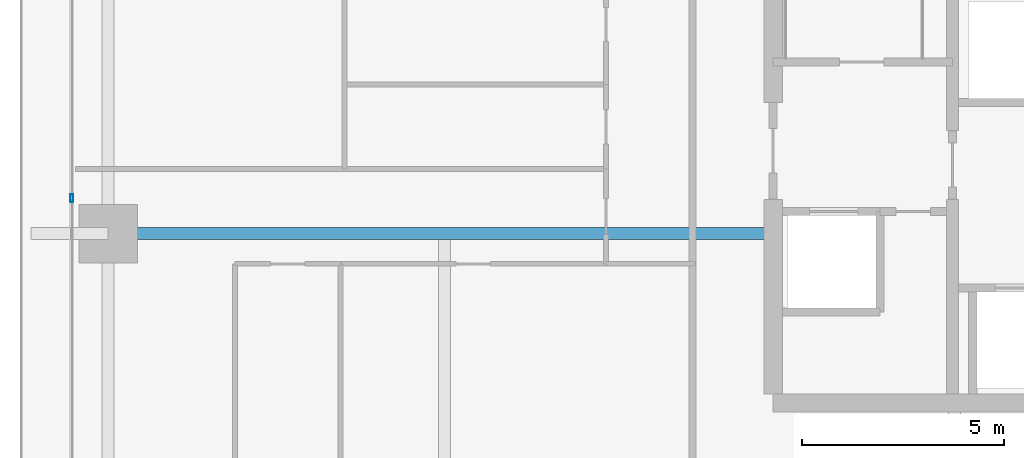
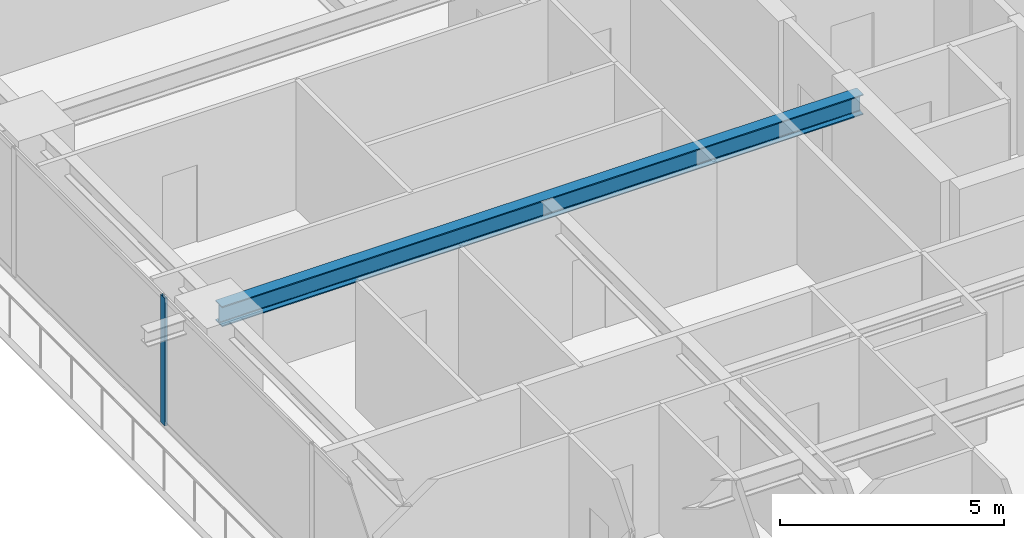
# One storey, part 7 of 37: 1 beam, 1 member, 1 element without a shape of its own.
"""IFC4 building model written with IfcOpenShell, lengths in metres."""

from ifc_helpers import new_model, si_unit, direction, frame, origin, origin_2d, place, context, subcontext, project, spatial, hollow_rectangle, i_section, extrude, source, transform, mapped, material, layer, layer_set, material_profile, profile_set, type_object, element, aggregate, save


model = new_model("IFC4")

# Units and contexts
model_context = context("Model", 3, precision=1e-05, world=origin(), true_north=direction((0.0, 1.0)))
body_context = subcontext(model_context, "Body", "Model", "MODEL_VIEW")
ifc_project = project(units=[si_unit("LENGTHUNIT", "METRE"), si_unit("AREAUNIT", "SQUARE_METRE"), si_unit("VOLUMEUNIT", "CUBIC_METRE"), si_unit("PLANEANGLEUNIT", "RADIAN"), si_unit("MASSUNIT", "GRAM", prefix="KILO")], contexts=[model_context])

# Site, building, storey
site_placement = place(None, origin())
site = spatial("IfcSite", under=ifc_project, at=site_placement, CompositionType="ELEMENT")
building_placement = place(site_placement, origin())
building = spatial("IfcBuilding", under=site, at=building_placement, Name="Serunith Strait Residences", CompositionType="ELEMENT")
storey_placement = place(building_placement, frame((0.0, 0.0, 26.699951171875)))
storey = spatial("IfcBuildingStorey", under=building, at=storey_placement, Name="L05", CompositionType="ELEMENT", Elevation=26.699951171875)

# Beam
ifc_material_1 = material(Name="Steel S355J2", Category="steel")
ifc_material_profile_1 = material_profile(ifc_material_1, i_section(OverallWidth=0.300048828125, OverallDepth=0.550048828125, WebThickness=0.014892578125, FlangeThickness=0.029052734375, FilletRadius=0.027099609375, at=origin_2d()), Name="HEB 550")
ifc_profile_set_1 = profile_set([ifc_material_profile_1], Name="Steel S355J2")
beam_type = type_object("IfcBeamType", Name="BM-HEB550", PredefinedType="BEAM", material=ifc_profile_set_1)
shared_shape_1 = source(origin(), body_context, "Body", "SweptSolid", [
    extrude(i_section(OverallWidth=0.300048828125, OverallDepth=0.550048828125, WebThickness=0.014892578125, FlangeThickness=0.029052734375, FilletRadius=0.027099609375, at=origin_2d()), origin(), (0.0, 0.0, 1.0), 16.5),
])
beam_placement = place(storey_placement, frame((23.39990234375, 21.0, 3.212158203125), z_axis=(-1.0, 0.0, 0.0), x_axis=(0.0, -1.0, 0.0)))
element("IfcBeam", 1, at=beam_placement, inside=storey, type_object=beam_type, Name="L05 Primary Floor Girder TC-W2", PredefinedType="BEAM", context=body_context, shape_type="MappedRepresentation", body=[
    mapped(shared_shape_1, transform((0.0, 0.0, 0.0), scale=1.0)),
])

# Curtain wall, member
ifc_material_2 = material(Name="Pale-Champagne Anodised Aluminium", Category="aluminium")
ifc_layer = layer(ifc_material_2, 0.199951171875, Name="Pale-Champagne Anodised Aluminium")
ifc_layer_set = layer_set([ifc_layer], Name="Pale-Champagne Anodised Aluminium")
curtain_wall_type = type_object("IfcCurtainWallType", Name="CW-SYS1", PredefinedType="NOTDEFINED", material=ifc_layer_set)
curtain_wall_placement = place(storey_placement, origin())
curtain_wall = element("IfcCurtainWall", 2, at=curtain_wall_placement, inside=storey, type_object=curtain_wall_type, Name="L05 W Unitised Fritted Curtain Wall", PredefinedType="NOTDEFINED")
ifc_material_profile_2 = material_profile(ifc_material_2, hollow_rectangle(XDim=0.070068359375, YDim=0.199951171875, WallThickness=0.00390625, InnerFilletRadius=0.006103515625, OuterFilletRadius=0.010009765625, at=origin_2d()), Name="ALU 200x70x4")
ifc_profile_set_2 = profile_set([ifc_material_profile_2], Name="Pale-Champagne Anodised Aluminium")
member_type = type_object("IfcMemberType", Name="CW-SYS1-MULL", PredefinedType="MULLION", material=ifc_profile_set_2)
shared_shape_2 = source(origin(), body_context, "Body", "SweptSolid", [
    extrude(hollow_rectangle(XDim=0.070068359375, YDim=0.199951171875, WallThickness=0.00390625, InnerFilletRadius=0.006103515625, OuterFilletRadius=0.010009765625, at=origin_2d()), origin(), (0.0, 0.0, 1.0), 3.47509765625),
])
member_placement = place(storey_placement, frame((6.0, 21.8798828125, 0.0), z_axis=(0.0, 0.0, 1.0), x_axis=(1.0, 0.0, 0.0)))
member = element("IfcMember", 3, at=member_placement, type_object=member_type, Name="CW-1 mullion 4", PredefinedType="MULLION", context=body_context, shape_type="MappedRepresentation", body=[
    mapped(shared_shape_2, transform((0.0, 0.0, 0.0), scale=1.0)),
])
aggregate(curtain_wall, [member])

save(model, "model.ifc")
